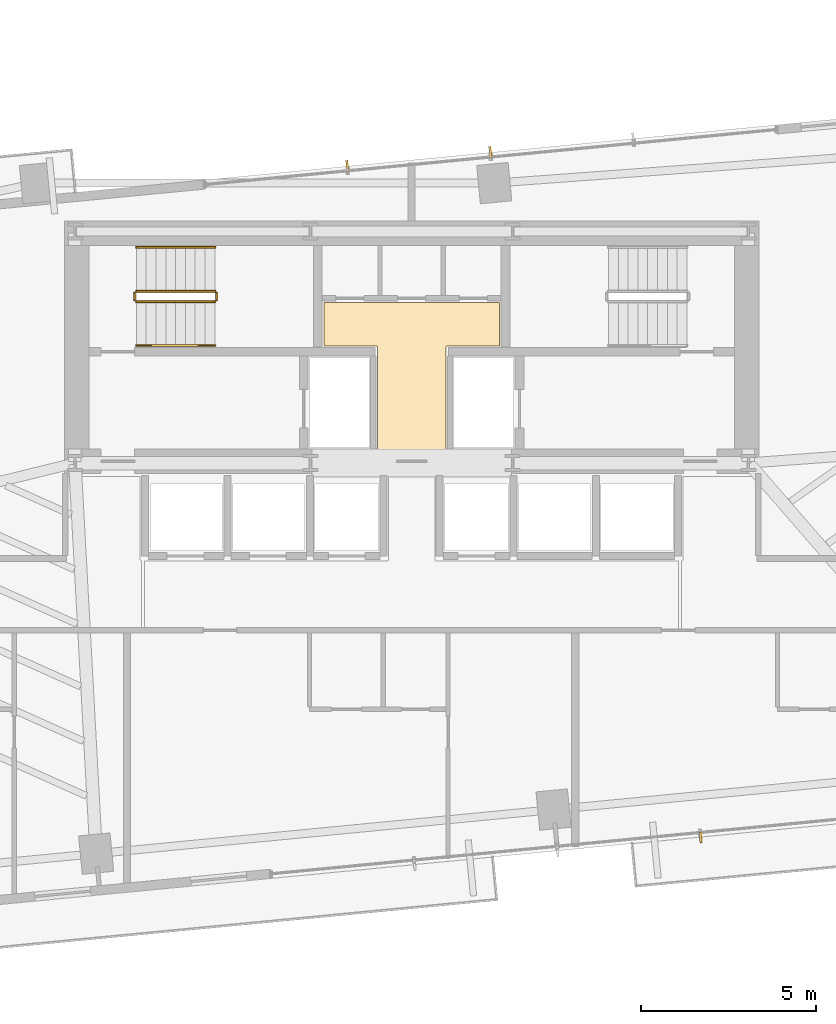
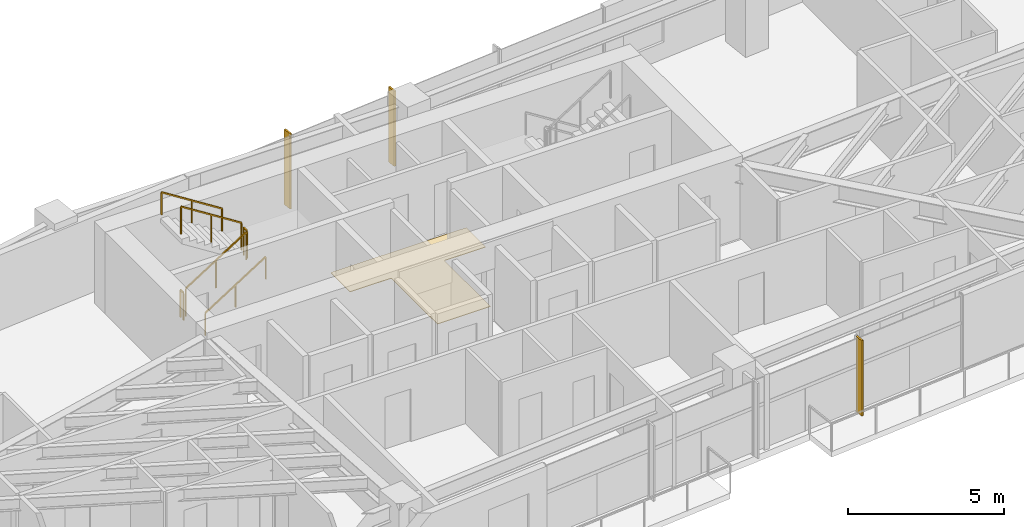
# One storey, part 26 of 27: 6 railings, 3 shading devices, 1 covering.
"""IFC4 building model written with IfcOpenShell, lengths in metres."""

from ifc_helpers import new_model, si_unit, direction, frame, origin, origin_2d, place, context, subcontext, project, spatial, polyline, rectangle, outline, extrude, source, transform, mapped, material, layer, layer_set, type_object, type_shapes, element, save


model = new_model("IFC4")

# Units and contexts
model_context = context("Model", 3, precision=1e-05, world=origin(), true_north=direction((0.0, 1.0)))
body_context = subcontext(model_context, "Body", "Model", "MODEL_VIEW")
ifc_project = project(units=[si_unit("LENGTHUNIT", "METRE"), si_unit("AREAUNIT", "SQUARE_METRE"), si_unit("VOLUMEUNIT", "CUBIC_METRE"), si_unit("PLANEANGLEUNIT", "RADIAN"), si_unit("MASSUNIT", "GRAM", prefix="KILO")], contexts=[model_context])

# Site, building, storey
site_placement = place(None, origin())
site = spatial("IfcSite", under=ifc_project, at=site_placement, CompositionType="ELEMENT")
building_placement = place(site_placement, origin())
building = spatial("IfcBuilding", under=site, at=building_placement, Name="Astriad Promenade Condominiums", CompositionType="ELEMENT")
storey_placement = place(building_placement, frame((0.0, 0.0, 97.0)))
storey = spatial("IfcBuildingStorey", under=building, at=storey_placement, Name="L27", CompositionType="ELEMENT", Elevation=97.0)

# Covering
ifc_material_1 = material(Name="Polished Lakefront Terrazzo Flooring")
ifc_layer = layer(ifc_material_1, 0.02001953125)
ifc_layer_set = layer_set([ifc_layer], Name="Polished Lakefront Terrazzo Flooring")
covering_type = type_object("IfcCoveringType", Name="COV-FLOR-TERRAZZO-20", PredefinedType="FLOORING", material=ifc_layer_set)
covering_placement = place(storey_placement, origin())
element("IfcCovering", 1, at=covering_placement, inside=storey, type_object=covering_type, Name="FLR-L27-CSL", PredefinedType="FLOORING", context=body_context, shape_type="SweptSolid", body=[
    extrude(outline(polyline([(36.97998046875, 20.699951171875), (36.97998046875, 17.7900390625), (35.02001953125, 17.7900390625), (35.02001953125, 20.699951171875), (35.019775390625, 20.703857421875), (35.019287109375, 20.707763671875), (35.018310546875, 20.711669921875), (35.01708984375, 20.71533203125), (35.015380859375, 20.718994140625), (35.01318359375, 20.72216796875), (35.010986328125, 20.725341796875), (35.00830078125, 20.728271484375), (35.00537109375, 20.73095703125), (35.002197265625, 20.7333984375), (34.998779296875, 20.7353515625), (34.995361328125, 20.737060546875), (34.99169921875, 20.73828125), (34.98779296875, 20.7392578125), (34.98388671875, 20.73974609375), (34.97998046875, 20.739990234375), (33.5, 20.739990234375), (33.5, 21.97998046875), (38.5, 21.97998046875), (38.5, 20.739990234375), (37.02001953125, 20.739990234375), (37.01611328125, 20.73974609375), (37.01220703125, 20.7392578125), (37.00830078125, 20.73828125), (37.004638671875, 20.737060546875), (37.001220703125, 20.7353515625), (36.997802734375, 20.7333984375), (36.99462890625, 20.73095703125), (36.99169921875, 20.728271484375), (36.989013671875, 20.725341796875), (36.98681640625, 20.72216796875), (36.984619140625, 20.718994140625), (36.98291015625, 20.71533203125), (36.981689453125, 20.711669921875), (36.980712890625, 20.707763671875), (36.980224609375, 20.703857421875), (36.97998046875, 20.699951171875)])), origin(), (0.0, 0.0, 1.0), 0.02001953125),
])

# Shading devices
ifc_material_2 = material(Name="Anodised aluminium 6063-T6 Black Fin", Category="aluminium")
shading_device_type = type_object("IfcShadingDeviceType", Name="FIN-BLACK-320", PredefinedType="USERDEFINED", material=ifc_material_2)
shared_shape_1 = source(origin(), body_context, "Body", "SweptSolid", [
    extrude(rectangle(XDim=0.06494140625, YDim=0.320068359375, at=origin_2d()), origin(), (0.0, 0.0, 1.0), 2.93994140625),
])
type_shapes(shading_device_type, [shared_shape_1])
for number, where, z_axis, x_axis, name in (
    (2, (34.164306640625, 25.87158203125, 0.0), (0.0, 0.0, 1.0), (0.995396198367, 0.09584575252, 0.0), "CW-L27-N-FIN-01"),
    (3, (38.240478515625, 26.263916015625, 0.0), (0.0, 0.0, 1.0), (0.995396198367, 0.09584575252, 0.0), "CW-L27-N-FIN-02"),
    (4, (44.235595703125, 6.728515625, 0.0), (0.0, 0.0, 1.0), (-0.995396198367, -0.09584575252, 0.0), "CW-L27-S-FIN-01"),
):
    element("IfcShadingDevice", number, at=place(storey_placement, frame(where, z_axis=z_axis, x_axis=x_axis)), inside=storey, type_object=shading_device_type, Name=name, ObjectType="FIN", PredefinedType="USERDEFINED", context=body_context, shape_type="MappedRepresentation", body=[
        mapped(shared_shape_1, transform((0.0, 0.0, 0.0), scale=1.0)),
    ])

# Railings
ifc_material_3 = material(Name="Painted Galvanised Steel Guardrail", Category="steel")
railing_type_1 = type_object("IfcRailingType", Name="GRD-STAIR-1100", PredefinedType="GUARDRAIL", material=ifc_material_3)
shared_shape_2 = source(origin(), body_context, "Body", "SweptSolid", [
    extrude(rectangle(XDim=0.048095703125, YDim=0.048095703125, at=origin_2d()), frame((0.0, 0.0, 1.076171875), z_axis=(0.0, 1.0, 0.0), x_axis=(-1.0, 0.0, 0.0)), (0.0, 0.0, 1.0), 0.199951171875),
    extrude(rectangle(XDim=0.0419921875, YDim=0.0419921875, at=origin_2d()), origin(), (0.0, 0.0, 1.0), 1.052001953125),
    extrude(rectangle(XDim=0.0419921875, YDim=0.0419921875, at=origin_2d()), frame((0.0, 0.199951171875, 0.0)), (0.0, 0.0, 1.0), 1.052001953125),
])
for number, where, name in (
    (5, (30.43994140625, 22.050048828125, 1.60009765625), "L27 ST-1 stair guard 2"),
    (6, (28.10009765625, 22.050048828125, 0.0), "L27 ST-1 stair guard 4"),
):
    element("IfcRailing", number, at=place(storey_placement, frame(where)), inside=storey, type_object=railing_type_1, Name=name, PredefinedType="GUARDRAIL", context=body_context, shape_type="MappedRepresentation", body=[
        mapped(shared_shape_2, transform((0.0, 0.0, 0.0), scale=1.0)),
    ])
shared_shape_3 = source(origin(), body_context, "Body", "SweptSolid", [
    extrude(rectangle(XDim=0.048095703125, YDim=0.048095703125, at=origin_2d()), frame((0.0, 0.0, 1.076171875), z_axis=(0.84418770128, 0.0, 0.536047689118), x_axis=(0.0, 1.0, 0.0)), (0.0, 0.0, 1.0), 2.6533203125),
    extrude(rectangle(XDim=0.0419921875, YDim=0.0419921875, at=origin_2d()), origin(), (0.0, 0.0, 1.0), 1.052001953125),
    extrude(rectangle(XDim=0.0419921875, YDim=0.0419921875, at=origin_2d()), frame((1.1201171875, 0.0, 0.711181640625)), (0.0, 0.0, 1.0), 1.052001953125),
    extrude(rectangle(XDim=0.0419921875, YDim=0.0419921875, at=origin_2d()), frame((2.239990234375, 0.0, 1.42236328125)), (0.0, 0.0, 1.0), 1.052001953125),
])
railing_1_placement = place(storey_placement, frame((28.14990234375, 22.0, 0.177734375)))
element("IfcRailing", 7, at=railing_1_placement, inside=storey, type_object=railing_type_1, Name="L27 ST-1 stair guard 1", PredefinedType="GUARDRAIL", context=body_context, shape_type="MappedRepresentation", body=[
    mapped(shared_shape_3, transform((0.0, 0.0, 0.0), scale=1.0)),
])
shared_shape_4 = source(origin(), body_context, "Body", "SweptSolid", [
    extrude(rectangle(XDim=0.048095703125, YDim=0.048095703125, at=origin_2d()), frame((0.0, 0.0, 1.076171875), z_axis=(-0.8442293374, 0.0, 0.53598211339), x_axis=(0.0, -1.0, 0.0)), (0.0, 0.0, 1.0), 2.6533203125),
    extrude(rectangle(XDim=0.0419921875, YDim=0.0419921875, at=origin_2d()), origin(), (0.0, 0.0, 1.0), 1.052001953125),
    extrude(rectangle(XDim=0.0419921875, YDim=0.0419921875, at=origin_2d()), frame((-1.1201171875, 0.0, 0.7109375)), (0.0, 0.0, 1.0), 1.052001953125),
    extrude(rectangle(XDim=0.0419921875, YDim=0.0419921875, at=origin_2d()), frame((-2.239990234375, 0.0, 1.422119140625)), (0.0, 0.0, 1.0), 1.052001953125),
])
type_shapes(railing_type_1, [shared_shape_2, shared_shape_3, shared_shape_4])
railing_2_placement = place(storey_placement, frame((30.389892578125, 22.300048828125, 1.77783203125)))
element("IfcRailing", 8, at=railing_2_placement, inside=storey, type_object=railing_type_1, Name="L27 ST-1 stair guard 3", PredefinedType="GUARDRAIL", context=body_context, shape_type="MappedRepresentation", body=[
    mapped(shared_shape_4, transform((0.0, 0.0, 0.0), scale=1.0)),
])
ifc_material_4 = material(Name="Brushed Stainless Steel Handrail", Category="steel")
railing_type_2 = type_object("IfcRailingType", Name="HRL-STAIR-920", PredefinedType="HANDRAIL", material=ifc_material_4)
shared_shape_5 = source(origin(), body_context, "Body", "SweptSolid", [
    extrude(rectangle(XDim=0.048095703125, YDim=0.048095703125, at=origin_2d()), frame((0.0, 0.0, 0.8759765625), z_axis=(0.84418770128, 0.0, 0.536047689118), x_axis=(0.0, 1.0, 0.0)), (0.0, 0.0, 1.0), 2.6533203125),
    extrude(rectangle(XDim=0.0419921875, YDim=0.0419921875, at=origin_2d()), origin(), (0.0, 0.0, 1.0), 0.851806640625),
    extrude(rectangle(XDim=0.0419921875, YDim=0.0419921875, at=origin_2d()), frame((1.1201171875, 0.0, 0.711181640625)), (0.0, 0.0, 1.0), 0.851806640625),
    extrude(rectangle(XDim=0.0419921875, YDim=0.0419921875, at=origin_2d()), frame((2.239990234375, 0.0, 1.42236328125)), (0.0, 0.0, 1.0), 0.851806640625),
])
railing_3_placement = place(storey_placement, frame((28.14990234375, 20.75, 0.177734375)))
element("IfcRailing", 9, at=railing_3_placement, inside=storey, type_object=railing_type_2, Name="L27 ST-1 stair handrail 1", PredefinedType="HANDRAIL", context=body_context, shape_type="MappedRepresentation", body=[
    mapped(shared_shape_5, transform((0.0, 0.0, 0.0), scale=1.0)),
])
shared_shape_6 = source(origin(), body_context, "Body", "SweptSolid", [
    extrude(rectangle(XDim=0.048095703125, YDim=0.048095703125, at=origin_2d()), frame((0.0, 0.0, 0.8759765625), z_axis=(-0.8442293374, 0.0, 0.53598211339), x_axis=(0.0, -1.0, 0.0)), (0.0, 0.0, 1.0), 2.6533203125),
    extrude(rectangle(XDim=0.0419921875, YDim=0.0419921875, at=origin_2d()), origin(), (0.0, 0.0, 1.0), 0.851806640625),
    extrude(rectangle(XDim=0.0419921875, YDim=0.0419921875, at=origin_2d()), frame((-1.1201171875, 0.0, 0.7109375)), (0.0, 0.0, 1.0), 0.851806640625),
    extrude(rectangle(XDim=0.0419921875, YDim=0.0419921875, at=origin_2d()), frame((-2.239990234375, 0.0, 1.422119140625)), (0.0, 0.0, 1.0), 0.851806640625),
])
type_shapes(railing_type_2, [shared_shape_5, shared_shape_6])
railing_4_placement = place(storey_placement, frame((30.389892578125, 23.550048828125, 1.77783203125)))
element("IfcRailing", 10, at=railing_4_placement, inside=storey, type_object=railing_type_2, Name="L27 ST-1 stair handrail 2", PredefinedType="HANDRAIL", context=body_context, shape_type="MappedRepresentation", body=[
    mapped(shared_shape_6, transform((0.0, 0.0, 0.0), scale=1.0)),
])

save(model, "model.ifc")
